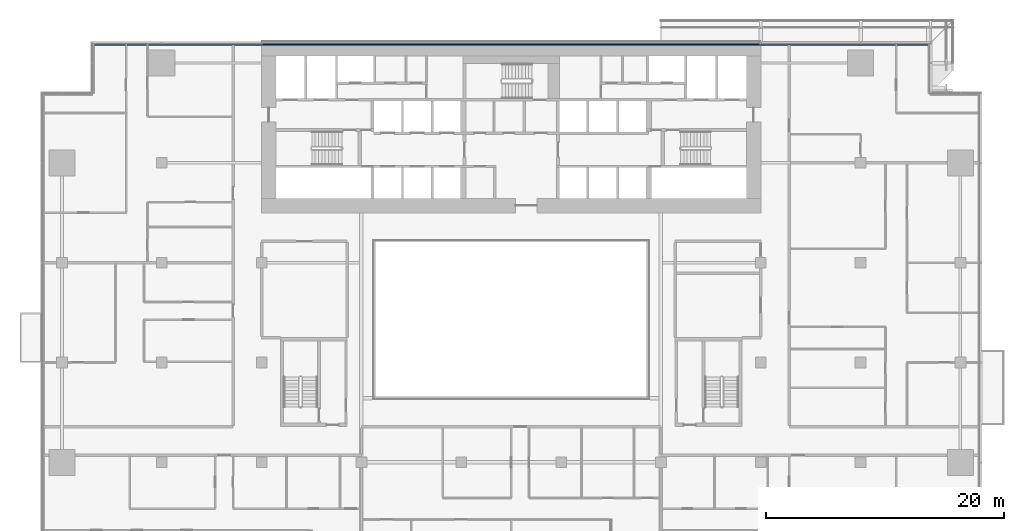
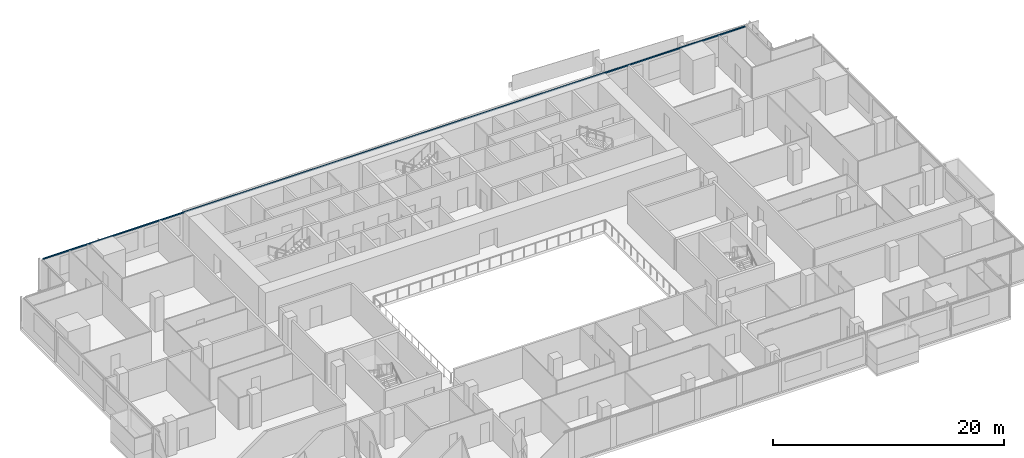
# One storey, part 9 of 29: 1 member, 1 element without a shape of its own.
"""IFC4 building model written with IfcOpenShell, lengths in metres."""

from ifc_helpers import new_model, si_unit, direction, frame, origin, origin_2d, place, context, subcontext, project, spatial, rectangle, extrude, material, material_profile, profile_set, type_object, element, aggregate, save


model = new_model("IFC4")

# Units and contexts
model_context = context("Model", 3, precision=1e-05, world=origin(), true_north=direction((0.0, 1.0)))
body_context = subcontext(model_context, "Body", "Model", "MODEL_VIEW")
ifc_project = project(units=[si_unit("LENGTHUNIT", "METRE"), si_unit("AREAUNIT", "SQUARE_METRE"), si_unit("VOLUMEUNIT", "CUBIC_METRE"), si_unit("PLANEANGLEUNIT", "RADIAN"), si_unit("MASSUNIT", "GRAM", prefix="KILO")], contexts=[model_context])

# Site, building, storey
site_placement = place(None, origin())
site = spatial("IfcSite", under=ifc_project, at=site_placement, CompositionType="ELEMENT")
building_placement = place(site_placement, origin())
building = spatial("IfcBuilding", under=site, at=building_placement, Name="Saffron Gate Tower", CompositionType="ELEMENT")
storey_placement = place(building_placement, frame((0.0, 0.0, 58.800048828125)))
storey = spatial("IfcBuildingStorey", under=building, at=storey_placement, Name="L13", CompositionType="ELEMENT", Elevation=58.800048828125)

# Curtain wall, member
ifc_material = material(Name="Aluminium, bronze anodised", Category="aluminium")
curtain_wall_type = type_object("IfcCurtainWallType", Name="CWS3 curtain wall rear facade", PredefinedType="NOTDEFINED", material=ifc_material)
curtain_wall_placement = place(storey_placement, origin())
curtain_wall = element("IfcCurtainWall", 1, at=curtain_wall_placement, inside=storey, type_object=curtain_wall_type, Name="CWS3 run 7", PredefinedType="NOTDEFINED")
ifc_material_profile = material_profile(ifc_material, rectangle(XDim=0.1201171875, YDim=0.1201171875, at=origin_2d()))
ifc_profile_set = profile_set([ifc_material_profile], Name="Aluminium, bronze anodised")
member_type = type_object("IfcMemberType", Name="CWS3 head transom", PredefinedType="USERDEFINED", material=ifc_profile_set)
member_placement = place(storey_placement, frame((122.632080078125, 75.35205078125, 3.260009765625), z_axis=(-1.0, 0.0, 0.0), x_axis=(0.0, -1.0, 0.0)))
member = element("IfcMember", 2, at=member_placement, type_object=member_type, Name="CWS3 head transom", ObjectType="TRANSOM", PredefinedType="USERDEFINED", context=body_context, shape_type="SweptSolid", body=[
    extrude(rectangle(XDim=0.1201171875, YDim=0.1201171875, at=origin_2d()), origin(), (0.0, 0.0, 1.0), 70.06396484375),
])
aggregate(curtain_wall, [member])

save(model, "model.ifc")
